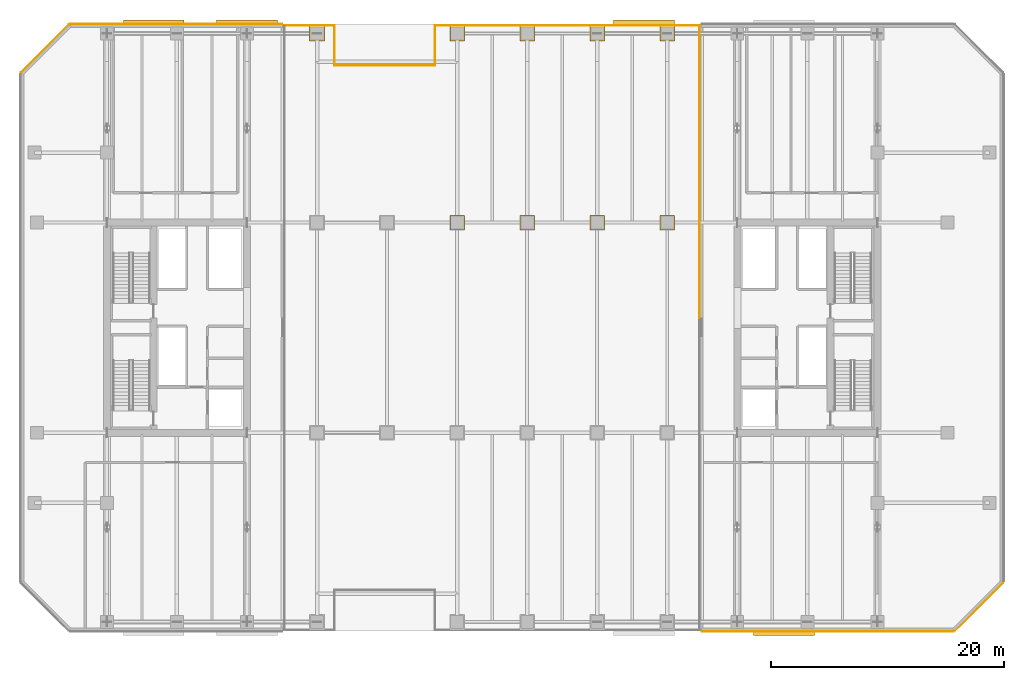
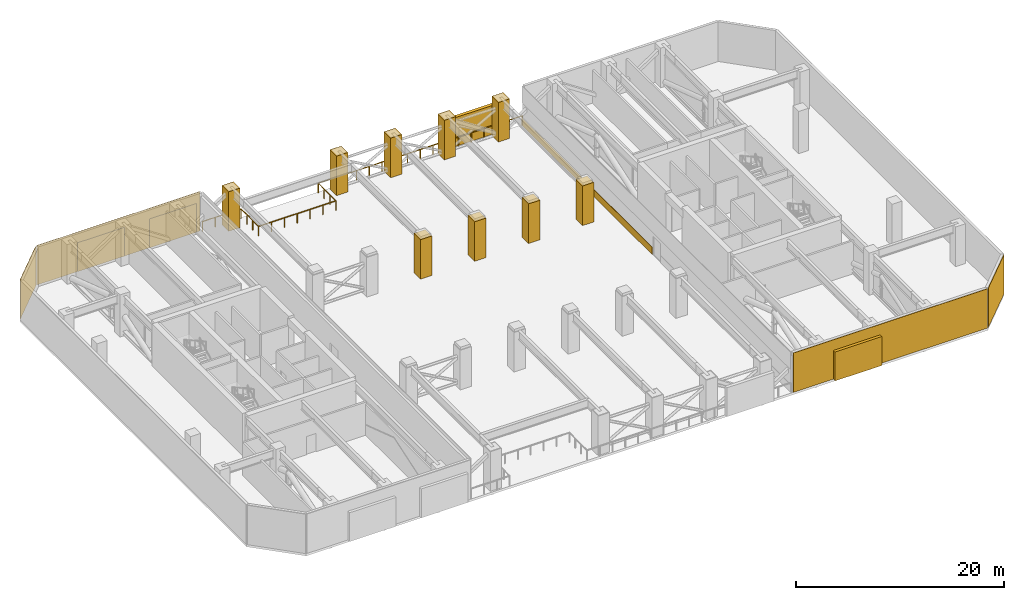
# One storey, part 19 of 22: 14 coverings, 4 shading devices, 1 railing.
"""IFC4 building model written with IfcOpenShell, lengths in metres."""

from ifc_helpers import new_model, si_unit, direction, frame, origin, origin_2d, place, context, subcontext, project, spatial, rectangle, extrude, material, layer, layer_set, type_object, element, save


model = new_model("IFC4")

# Units and contexts
model_context = context("Model", 3, precision=1e-05, world=origin(), true_north=direction((0.0, 1.0)))
body_context = subcontext(model_context, "Body", "Model", "MODEL_VIEW")
ifc_project = project(units=[si_unit("LENGTHUNIT", "METRE"), si_unit("AREAUNIT", "SQUARE_METRE"), si_unit("VOLUMEUNIT", "CUBIC_METRE"), si_unit("PLANEANGLEUNIT", "RADIAN"), si_unit("MASSUNIT", "GRAM", prefix="KILO")], contexts=[model_context])

# Site, building, storey
site_placement = place(None, origin())
site = spatial("IfcSite", under=ifc_project, at=site_placement, CompositionType="ELEMENT")
building_placement = place(site_placement, origin())
building = spatial("IfcBuilding", under=site, at=building_placement, Name="Tanjung Sevakor Pilgrim Tower", CompositionType="ELEMENT")
storey_placement = place(building_placement, frame((0.0, 0.0, 73.260009765625)))
storey = spatial("IfcBuildingStorey", under=building, at=storey_placement, Name="L20", CompositionType="ELEMENT", Elevation=73.260009765625)

# Coverings
ifc_material_1 = material(Name="Reconstructed Limestone Cladding", Category="masonry")
ifc_layer = layer(ifc_material_1, 0.044921875)
ifc_layer_set = layer_set([ifc_layer], Name="COV-CLAD-LIMESTONE")
covering_type = type_object("IfcCoveringType", Name="COV-CLAD-LIMESTONE", PredefinedType="CLADDING", material=ifc_layer_set)
covering_1_placement = place(storey_placement, frame((29.958984375, 59.62255859375, 0.02001953125), z_axis=(0.0, 0.0, 1.0), x_axis=(-1.0, 0.0, 0.0)))
element("IfcCovering", 1, at=covering_1_placement, inside=storey, type_object=covering_type, Name="L20 Warm Limestone Wall Cladding EW-RFW-L20-3", PredefinedType="CLADDING", context=body_context, shape_type="SweptSolid", body=[
    extrude(rectangle(XDim=18.162109375, YDim=0.044921875, at=origin_2d()), origin(), (0.0, 0.0, 1.0), 4.6298828125),
])
covering_2_placement = place(storey_placement, frame((18.68408203125, 57.515869140625, 0.02001953125), z_axis=(0.0, 0.0, 1.0), x_axis=(-0.707106781187, -0.707106781187, 0.0)))
element("IfcCovering", 2, at=covering_2_placement, inside=storey, type_object=covering_type, Name="L20 Warm Limestone Wall Cladding EW-RFW-L20-4", PredefinedType="CLADDING", context=body_context, shape_type="SweptSolid", body=[
    extrude(rectangle(XDim=5.78369140625, YDim=0.044921875, at=origin_2d()), origin(), (0.0, 0.0, 1.0), 4.6298828125),
])
covering_3_placement = place(storey_placement, frame((85.740966796875, 7.577392578125, 0.02001953125), z_axis=(0.0, 0.0, 1.0), x_axis=(1.0, 0.0, 0.0)))
element("IfcCovering", 3, at=covering_3_placement, inside=storey, type_object=covering_type, Name="L20 Warm Limestone Wall Cladding EW-RFE-L20-1", PredefinedType="CLADDING", context=body_context, shape_type="SweptSolid", body=[
    extrude(rectangle(XDim=21.56201171875, YDim=0.044921875, at=origin_2d()), origin(), (0.0, 0.0, 1.0), 4.6298828125),
])
covering_4_placement = place(storey_placement, frame((98.7158203125, 9.68408203125, 0.02001953125), z_axis=(0.0, 0.0, 1.0), x_axis=(0.707106781187, 0.707106781187, 0.0)))
element("IfcCovering", 4, at=covering_4_placement, inside=storey, type_object=covering_type, Name="L20 Warm Limestone Wall Cladding EW-RFE-L20-2", PredefinedType="CLADDING", context=body_context, shape_type="SweptSolid", body=[
    extrude(rectangle(XDim=5.78369140625, YDim=0.044921875, at=origin_2d()), origin(), (0.0, 0.0, 1.0), 4.6298828125),
])
covering_5_placement = place(storey_placement, frame((74.777587890625, 46.9150390625, 0.009765625), z_axis=(0.0, 0.0, 1.0), x_axis=(0.0, -1.0, 0.0)))
element("IfcCovering", 5, at=covering_5_placement, inside=storey, type_object=covering_type, Name="L20 Warm Limestone Sill Spandrel EW-RFE-L20-6-1", PredefinedType="CLADDING", context=body_context, shape_type="SweptSolid", body=[
    extrude(rectangle(XDim=25.010009765625, YDim=0.044921875, at=origin_2d()), origin(), (0.0, 0.0, 1.0), 0.840087890625),
])
for number, where, z_axis, x_axis, name in (
    (6, (54.0, 42.60009765625, 0.010009765625), (0.0, 0.0, 1.0), (1.0, 0.0, 0.0), "L20 Portal Colonnade Limestone Casing 08"),
    (7, (60.0, 42.60009765625, 0.010009765625), (0.0, 0.0, 1.0), (1.0, 0.0, 0.0), "L20 Portal Colonnade Limestone Casing 10"),
    (8, (66.0, 42.60009765625, 0.010009765625), (0.0, 0.0, 1.0), (1.0, 0.0, 0.0), "L20 Portal Colonnade Limestone Casing 12"),
    (9, (72.0, 42.60009765625, 0.010009765625), (0.0, 0.0, 1.0), (1.0, 0.0, 0.0), "L20 Portal Colonnade Limestone Casing 14"),
    (10, (42.0, 58.800048828125, 0.010009765625), (0.0, 0.0, 1.0), (1.0, 0.0, 0.0), "L20 Portal Colonnade Limestone Casing 32"),
    (11, (54.0, 58.800048828125, 0.010009765625), (0.0, 0.0, 1.0), (1.0, 0.0, 0.0), "L20 Portal Colonnade Limestone Casing 34"),
    (12, (60.0, 58.800048828125, 0.010009765625), (0.0, 0.0, 1.0), (1.0, 0.0, 0.0), "L20 Portal Colonnade Limestone Casing 36"),
    (13, (66.0, 58.800048828125, 0.010009765625), (0.0, 0.0, 1.0), (1.0, 0.0, 0.0), "L20 Portal Colonnade Limestone Casing 38"),
    (14, (72.0, 58.800048828125, 0.010009765625), (0.0, 0.0, 1.0), (1.0, 0.0, 0.0), "L20 Portal Colonnade Limestone Casing 40"),
):
    element("IfcCovering", number, at=place(storey_placement, frame(where, z_axis=z_axis, x_axis=x_axis)), inside=storey, type_object=covering_type, Name=name, PredefinedType="CLADDING", context=body_context, shape_type="SweptSolid", body=[
        extrude(rectangle(XDim=1.260009765625, YDim=1.260009765625, at=origin_2d()), origin(), (0.0, 0.0, 1.0), 4.64990234375),
    ])

# Railing
ifc_material_2 = material(Name="Steel S355J2", Category="steel")
railing_type = type_object("IfcRailingType", Name="RL-EXT-GUARD", PredefinedType="GUARDRAIL", material=ifc_material_2)
railing_placement = place(storey_placement, frame((39.219970703125, 59.47998046875, 0.0)))
element("IfcRailing", 15, at=railing_placement, inside=storey, type_object=railing_type, Name="L20 North Wind-Turbine Portal Guardrail", PredefinedType="GUARDRAIL", context=body_context, shape_type="SweptSolid", body=[
    extrude(rectangle(XDim=0.0479, YDim=0.0479), frame((0.0, 0.0, 1.1259765625), z_axis=(1.0, 0.0, 0.0), x_axis=(0.0, 1.0, 0.0)), (0.0, 0.0, 1.0), 4.280029296875),
    extrude(rectangle(XDim=0.0479, YDim=0.0479), frame((4.280029296875, 0.0, 1.1259765625), z_axis=(0.0, -1.0, 0.0), x_axis=(1.0, 0.0, 0.0)), (0.0, 0.0, 1.0), 3.39990234375),
    extrude(rectangle(XDim=0.0479, YDim=0.0479), frame((4.280029296875, -3.39990234375, 1.1259765625), z_axis=(1.0, 0.0, 0.0), x_axis=(0.0, 1.0, 0.0)), (0.0, 0.0, 1.0), 8.60009765625),
    extrude(rectangle(XDim=0.0479, YDim=0.0479), frame((12.880126953125, -3.39990234375, 1.1259765625), z_axis=(0.0, 1.0, 0.0), x_axis=(-1.0, 0.0, 0.0)), (0.0, 0.0, 1.0), 3.39990234375),
    extrude(rectangle(XDim=0.0479, YDim=0.0479), frame((12.880126953125, 0.0, 1.1259765625), z_axis=(1.0, 0.0, 0.0), x_axis=(0.0, 1.0, 0.0)), (0.0, 0.0, 1.0), 22.679931640625),
    extrude(rectangle(XDim=0.042, YDim=0.042), origin(), (0.0, 0.0, 1.0), 1.101806640625),
    extrude(rectangle(XDim=0.042, YDim=0.042), frame((1.4267578125, 0.0, 0.0)), (0.0, 0.0, 1.0), 1.101806640625),
    extrude(rectangle(XDim=0.042, YDim=0.042), frame((2.853271484375, 0.0, 0.0)), (0.0, 0.0, 1.0), 1.101806640625),
    extrude(rectangle(XDim=0.042, YDim=0.042), frame((4.280029296875, 0.0, 0.0)), (0.0, 0.0, 1.0), 1.101806640625),
    extrude(rectangle(XDim=0.042, YDim=0.042), frame((4.280029296875, -1.13330078125, 0.0)), (0.0, 0.0, 1.0), 1.101806640625),
    extrude(rectangle(XDim=0.042, YDim=0.042), frame((4.280029296875, -2.2666015625, 0.0)), (0.0, 0.0, 1.0), 1.101806640625),
    extrude(rectangle(XDim=0.042, YDim=0.042), frame((4.280029296875, -3.39990234375, 0.0)), (0.0, 0.0, 1.0), 1.101806640625),
    extrude(rectangle(XDim=0.042, YDim=0.042), frame((5.71337890625, -3.39990234375, 0.0)), (0.0, 0.0, 1.0), 1.101806640625),
    extrude(rectangle(XDim=0.042, YDim=0.042), frame((7.146728515625, -3.39990234375, 0.0)), (0.0, 0.0, 1.0), 1.101806640625),
    extrude(rectangle(XDim=0.042, YDim=0.042), frame((8.580078125, -3.39990234375, 0.0)), (0.0, 0.0, 1.0), 1.101806640625),
    extrude(rectangle(XDim=0.042, YDim=0.042), frame((10.013427734375, -3.39990234375, 0.0)), (0.0, 0.0, 1.0), 1.101806640625),
    extrude(rectangle(XDim=0.042, YDim=0.042), frame((11.44677734375, -3.39990234375, 0.0)), (0.0, 0.0, 1.0), 1.101806640625),
    extrude(rectangle(XDim=0.042, YDim=0.042), frame((12.880126953125, -3.39990234375, 0.0)), (0.0, 0.0, 1.0), 1.101806640625),
    extrude(rectangle(XDim=0.042, YDim=0.042), frame((12.880126953125, -2.2666015625, 0.0)), (0.0, 0.0, 1.0), 1.101806640625),
    extrude(rectangle(XDim=0.042, YDim=0.042), frame((12.880126953125, -1.13330078125, 0.0)), (0.0, 0.0, 1.0), 1.101806640625),
    extrude(rectangle(XDim=0.042, YDim=0.042), frame((12.880126953125, 0.0, 0.0)), (0.0, 0.0, 1.0), 1.101806640625),
    extrude(rectangle(XDim=0.042, YDim=0.042), frame((14.297607421875, 0.0, 0.0)), (0.0, 0.0, 1.0), 1.101806640625),
    extrude(rectangle(XDim=0.042, YDim=0.042), frame((15.715087890625, 0.0, 0.0)), (0.0, 0.0, 1.0), 1.101806640625),
    extrude(rectangle(XDim=0.042, YDim=0.042), frame((17.132568359375, 0.0, 0.0)), (0.0, 0.0, 1.0), 1.101806640625),
    extrude(rectangle(XDim=0.042, YDim=0.042), frame((18.550048828125, 0.0, 0.0)), (0.0, 0.0, 1.0), 1.101806640625),
    extrude(rectangle(XDim=0.042, YDim=0.042), frame((19.967529296875, 0.0, 0.0)), (0.0, 0.0, 1.0), 1.101806640625),
    extrude(rectangle(XDim=0.042, YDim=0.042), frame((21.385009765625, 0.0, 0.0)), (0.0, 0.0, 1.0), 1.101806640625),
    extrude(rectangle(XDim=0.042, YDim=0.042), frame((22.802490234375, 0.0, 0.0)), (0.0, 0.0, 1.0), 1.101806640625),
    extrude(rectangle(XDim=0.042, YDim=0.042), frame((24.22021484375, 0.0, 0.0)), (0.0, 0.0, 1.0), 1.101806640625),
    extrude(rectangle(XDim=0.042, YDim=0.042), frame((25.6376953125, 0.0, 0.0)), (0.0, 0.0, 1.0), 1.101806640625),
    extrude(rectangle(XDim=0.042, YDim=0.042), frame((27.05517578125, 0.0, 0.0)), (0.0, 0.0, 1.0), 1.101806640625),
    extrude(rectangle(XDim=0.042, YDim=0.042), frame((28.47265625, 0.0, 0.0)), (0.0, 0.0, 1.0), 1.101806640625),
    extrude(rectangle(XDim=0.042, YDim=0.042), frame((29.89013671875, 0.0, 0.0)), (0.0, 0.0, 1.0), 1.101806640625),
    extrude(rectangle(XDim=0.042, YDim=0.042), frame((31.3076171875, 0.0, 0.0)), (0.0, 0.0, 1.0), 1.101806640625),
    extrude(rectangle(XDim=0.042, YDim=0.042), frame((32.72509765625, 0.0, 0.0)), (0.0, 0.0, 1.0), 1.101806640625),
    extrude(rectangle(XDim=0.042, YDim=0.042), frame((34.142578125, 0.0, 0.0)), (0.0, 0.0, 1.0), 1.101806640625),
    extrude(rectangle(XDim=0.042, YDim=0.042), frame((35.56005859375, 0.0, 0.0)), (0.0, 0.0, 1.0), 1.101806640625),
])

# Shading devices
ifc_material_3 = material(Name="Anodised Bronze Aluminium 6063-T6", Category="aluminium")
shading_device_type = type_object("IfcShadingDeviceType", Name="SHD-LOUVRE-SLOT", PredefinedType="USERDEFINED", material=ifc_material_3)
for number, where, z_axis, x_axis, name in (
    (16, (82.0, 7.419921875, 0.0), (0.0, 0.0, 1.0), (1.0, 0.0, 0.0), "L20 Plant Wing Acoustic Louvre S-04"),
    (17, (28.0, 59.780029296875, 0.0), (0.0, 0.0, 1.0), (1.0, 0.0, 0.0), "L20 Plant Wing Acoustic Louvre N-01"),
    (18, (36.0, 59.780029296875, 0.0), (0.0, 0.0, 1.0), (1.0, 0.0, 0.0), "L20 Plant Wing Acoustic Louvre N-02"),
    (19, (70.0, 59.780029296875, 0.0), (0.0, 0.0, 1.0), (1.0, 0.0, 0.0), "L20 Plant Wing Acoustic Louvre N-03"),
):
    element("IfcShadingDevice", number, at=place(storey_placement, frame(where, z_axis=z_axis, x_axis=x_axis)), inside=storey, type_object=shading_device_type, Name=name, ObjectType="LOUVRE", PredefinedType="USERDEFINED", context=body_context, shape_type="SweptSolid", body=[
        extrude(rectangle(XDim=5.199951171875, YDim=0.360107421875, at=origin_2d()), origin(), (0.0, 0.0, 1.0), 3.39990234375),
    ])

save(model, "model.ifc")
